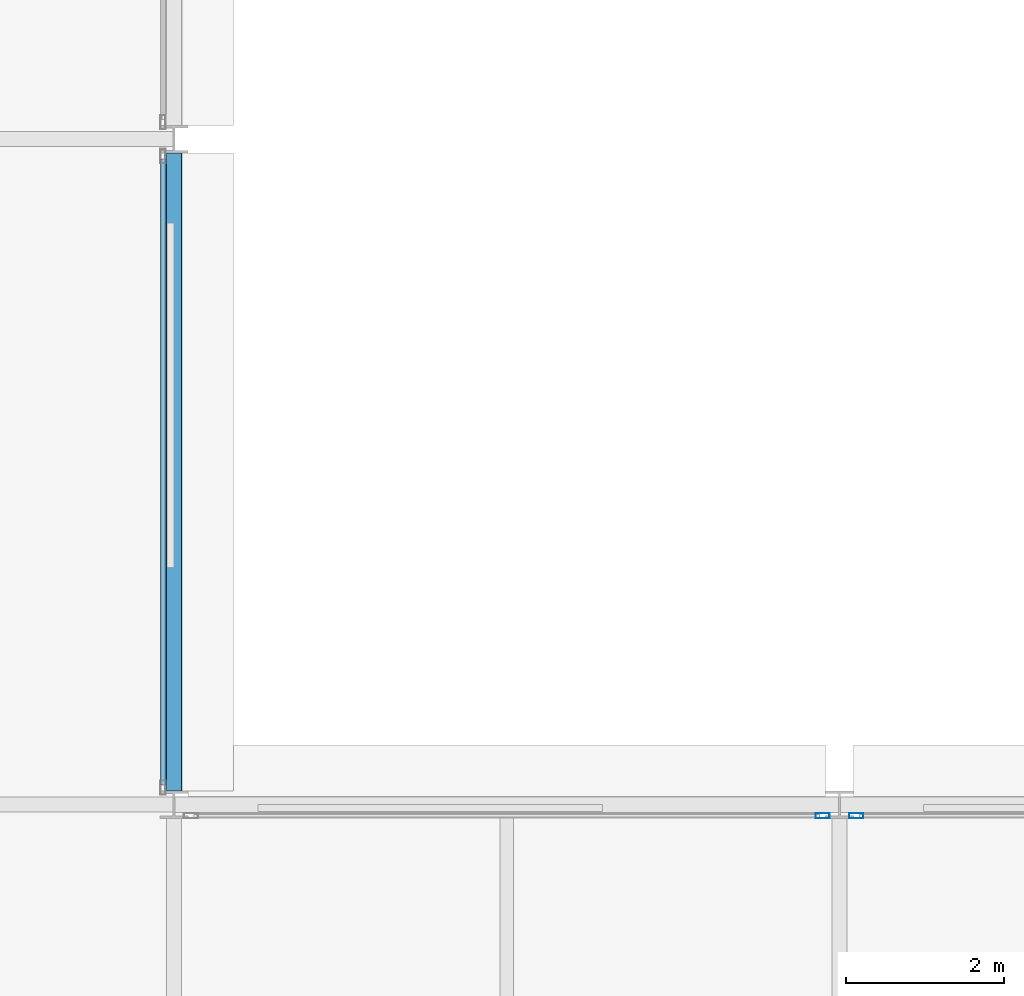
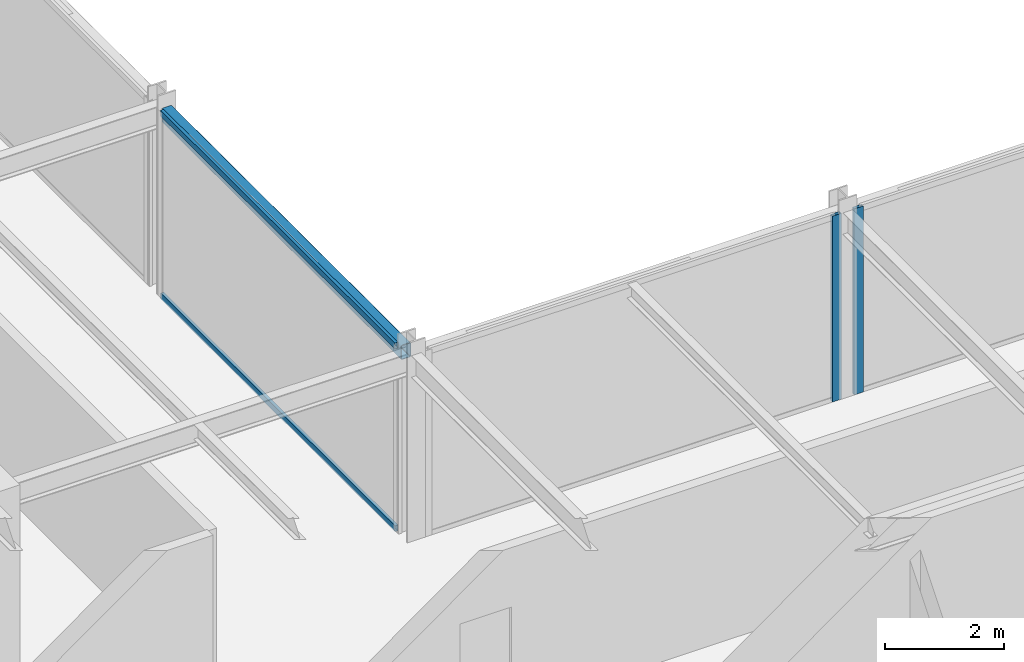
# One storey, part 15 of 29: 4 members, 1 beam, 3 elements without a shape of their own.
"""IFC4 building model written with IfcOpenShell, lengths in metres."""

from ifc_helpers import new_model, si_unit, direction, frame, origin, origin_2d, place, context, subcontext, project, spatial, hollow_rectangle, extrude, material, layer, layer_set, material_profile, profile_set, type_object, element, aggregate, save


model = new_model("IFC4")

# Units and contexts
model_context = context("Model", 3, precision=1e-05, world=origin(), true_north=direction((0.0, 1.0)))
body_context = subcontext(model_context, "Body", "Model", "MODEL_VIEW")
ifc_project = project(units=[si_unit("LENGTHUNIT", "METRE"), si_unit("AREAUNIT", "SQUARE_METRE"), si_unit("VOLUMEUNIT", "CUBIC_METRE"), si_unit("PLANEANGLEUNIT", "RADIAN"), si_unit("MASSUNIT", "GRAM", prefix="KILO")], contexts=[model_context])

# Site, building, storey
site_placement = place(None, origin())
site = spatial("IfcSite", under=ifc_project, at=site_placement, CompositionType="ELEMENT")
building_placement = place(site_placement, origin())
building = spatial("IfcBuilding", under=site, at=building_placement, Name="Nerrivon Quay Data Exchange", CompositionType="ELEMENT")
storey_placement = place(building_placement, frame((0.0, 0.0, 179.60009765625)))
storey = spatial("IfcBuildingStorey", under=building, at=storey_placement, Name="L42", CompositionType="ELEMENT", Elevation=179.60009765625)

# Beam
ifc_material_1 = material(Name="Steel Grade C350L0 (350 MPa)", Category="steel")
ifc_material_profile_1 = material_profile(ifc_material_1, hollow_rectangle(XDim=0.199951171875, YDim=0.300048828125, WallThickness=0.012451171875, InnerFilletRadius=0.018798828125, OuterFilletRadius=0.03125, at=origin_2d()), Name="300x200x12.5RHS")
ifc_profile_set_1 = profile_set([ifc_material_profile_1], Name="Steel Grade C350L0 (350 MPa)")
beam_type = type_object("IfcBeamType", Name="BM-SP3-300x200RHS", PredefinedType="SPANDREL", material=ifc_profile_set_1)
beam_placement = place(storey_placement, frame((25.199951171875, 25.375, 3.6748046875), z_axis=(0.0, 1.0, 0.0), x_axis=(-1.0, 0.0, 0.0)))
element("IfcBeam", 1, at=beam_placement, inside=storey, type_object=beam_type, Name="L42 NS Girder X=25.2 (25.2..33.6)", PredefinedType="SPANDREL", context=body_context, shape_type="SweptSolid", body=[
    extrude(hollow_rectangle(XDim=0.199951171875, YDim=0.300048828125, WallThickness=0.012451171875, InnerFilletRadius=0.018798828125, OuterFilletRadius=0.03125, at=origin_2d()), origin(), (0.0, 0.0, 1.0), 8.050048828125),
])

# Curtain wall, member
ifc_material_2 = material(Name="Anodised aluminium 6063-T6", Category="aluminium")
ifc_layer = layer(ifc_material_2, 0.195068359375)
ifc_layer_set = layer_set([ifc_layer], Name="Anodised aluminium 6063-T6")
curtain_wall_type = type_object("IfcCurtainWallType", Name="CW-SYS-06", PredefinedType="NOTDEFINED", material=ifc_layer_set)
curtain_wall_1_placement = place(storey_placement, origin())
curtain_wall_1 = element("IfcCurtainWall", 2, at=curtain_wall_1_placement, inside=storey, type_object=curtain_wall_type, Name="L42 Unitised Curtain Wall 16", PredefinedType="NOTDEFINED")
ifc_material_profile_2 = material_profile(ifc_material_2, hollow_rectangle(XDim=0.06494140625, YDim=0.179931640625, WallThickness=0.00341796875, at=origin_2d()), Name="ALU-MULL-180x65")
ifc_profile_set_2 = profile_set([ifc_material_profile_2], Name="Anodised aluminium 6063-T6")
member_type_1 = type_object("IfcMemberType", Name="CWM-180x65", PredefinedType="MULLION", material=ifc_profile_set_2)
member_1_placement = place(storey_placement, frame((33.387451171875, 25.06005859375, 0.0), z_axis=(0.0, 0.0, 1.0), x_axis=(0.0, 1.0, 0.0)))
member_1 = element("IfcMember", 3, at=member_1_placement, type_object=member_type_1, Name="CW06 mullion 2", PredefinedType="MULLION", context=body_context, shape_type="SweptSolid", body=[
    extrude(hollow_rectangle(XDim=0.06494140625, YDim=0.179931640625, WallThickness=0.00341796875, at=origin_2d()), origin(), (0.0, 0.0, 1.0), 3.824951171875),
])
aggregate(curtain_wall_1, [member_1])

curtain_wall_2_placement = place(storey_placement, origin())
curtain_wall_2 = element("IfcCurtainWall", 4, at=curtain_wall_2_placement, inside=storey, type_object=curtain_wall_type, Name="L42 Unitised Curtain Wall 17", PredefinedType="NOTDEFINED")
member_2_placement = place(storey_placement, frame((33.8125, 25.06005859375, 0.0), z_axis=(0.0, 0.0, 1.0), x_axis=(0.0, 1.0, 0.0)))
member_2 = element("IfcMember", 5, at=member_2_placement, type_object=member_type_1, Name="CW06 mullion 1", PredefinedType="MULLION", context=body_context, shape_type="SweptSolid", body=[
    extrude(hollow_rectangle(XDim=0.06494140625, YDim=0.179931640625, WallThickness=0.00341796875, at=origin_2d()), origin(), (0.0, 0.0, 1.0), 3.824951171875),
])
aggregate(curtain_wall_2, [member_2])

# Curtain wall, members
curtain_wall_3_placement = place(storey_placement, origin())
curtain_wall_3 = element("IfcCurtainWall", 6, at=curtain_wall_3_placement, inside=storey, type_object=curtain_wall_type, Name="L42 Unitised Curtain Wall 15", PredefinedType="NOTDEFINED")
ifc_material_profile_3 = material_profile(ifc_material_2, hollow_rectangle(XDim=0.06005859375, YDim=0.1201171875, WallThickness=0.003173828125, at=origin_2d()), Name="ALU-TRAN-120x60")
ifc_profile_set_3 = profile_set([ifc_material_profile_3], Name="Anodised aluminium 6063-T6")
member_type_2 = type_object("IfcMemberType", Name="CWT-120x60", PredefinedType="USERDEFINED", material=ifc_profile_set_3)
member_3_placement = place(storey_placement, frame((25.06005859375, 33.35009765625, 0.032470703125), z_axis=(0.0, -1.0, 0.0), x_axis=(1.0, 0.0, 0.0)))
member_3 = element("IfcMember", 7, at=member_3_placement, type_object=member_type_2, Name="CW06 transom 1.1", ObjectType="TRANSOM", PredefinedType="USERDEFINED", context=body_context, shape_type="SweptSolid", body=[
    extrude(hollow_rectangle(XDim=0.06005859375, YDim=0.1201171875, WallThickness=0.003173828125, at=origin_2d()), origin(), (0.0, 0.0, 1.0), 7.900146484375),
])
member_4_placement = place(storey_placement, frame((25.06005859375, 33.35009765625, 3.79248046875), z_axis=(0.0, -1.0, 0.0), x_axis=(1.0, 0.0, 0.0)))
member_4 = element("IfcMember", 8, at=member_4_placement, type_object=member_type_2, Name="CW06 transom 1.2", ObjectType="TRANSOM", PredefinedType="USERDEFINED", context=body_context, shape_type="SweptSolid", body=[
    extrude(hollow_rectangle(XDim=0.06005859375, YDim=0.1201171875, WallThickness=0.003173828125, at=origin_2d()), origin(), (0.0, 0.0, 1.0), 7.900146484375),
])
aggregate(curtain_wall_3, [member_3, member_4])

save(model, "model.ifc")
